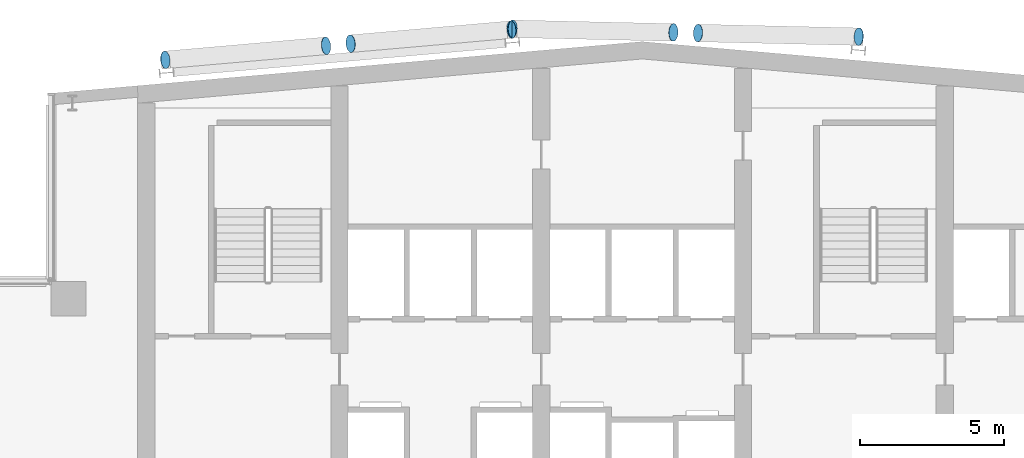
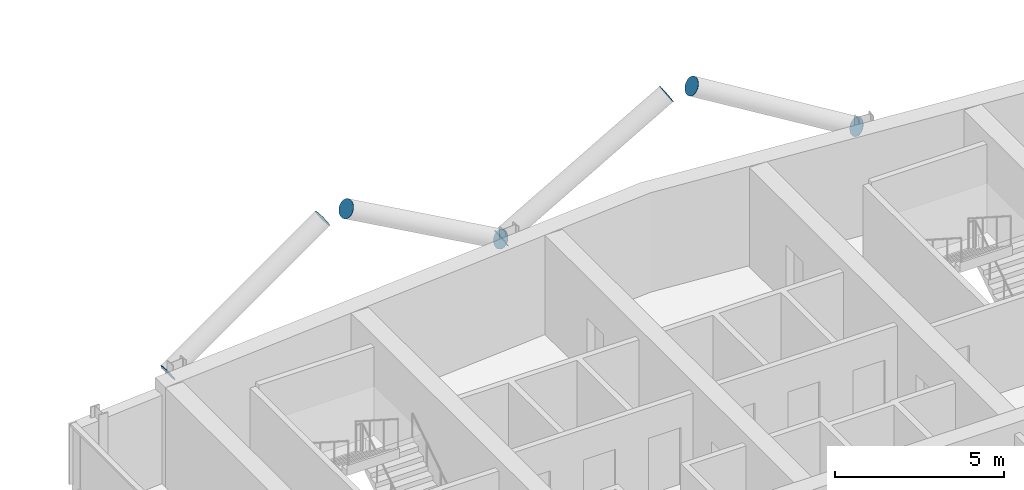
# One storey, part 23 of 27: 8 discrete accessories.
"""IFC4 building model written with IfcOpenShell, lengths in metres."""

from ifc_helpers import new_model, si_unit, direction, frame, origin, origin_2d, place, context, subcontext, project, spatial, circle, extrude, material, material_profile, profile_set, type_object, element, save


model = new_model("IFC4")

# Units and contexts
model_context = context("Model", 3, precision=1e-05, world=origin(), true_north=direction((0.0, 1.0)))
body_context = subcontext(model_context, "Body", "Model", "MODEL_VIEW")
ifc_project = project(units=[si_unit("LENGTHUNIT", "METRE"), si_unit("AREAUNIT", "SQUARE_METRE"), si_unit("VOLUMEUNIT", "CUBIC_METRE"), si_unit("PLANEANGLEUNIT", "RADIAN"), si_unit("MASSUNIT", "GRAM", prefix="KILO")], contexts=[model_context])

# Site, building, storey
site_placement = place(None, origin())
site = spatial("IfcSite", under=ifc_project, at=site_placement, CompositionType="ELEMENT")
building_placement = place(site_placement, origin())
building = spatial("IfcBuilding", under=site, at=building_placement, Name="Wharfspan Tower", CompositionType="ELEMENT")
storey_placement = place(building_placement, frame((0.0, 0.0, 210.699951)))
storey = spatial("IfcBuildingStorey", under=building, at=storey_placement, Name="L52", CompositionType="ELEMENT", Elevation=210.699951)

# Discrete accessories
ifc_material = material(Name="Steel S460NH", Category="steel")
ifc_material_profile = material_profile(ifc_material, circle(Radius=0.304932, at=origin_2d()))
ifc_profile_set = profile_set([ifc_material_profile], Name="Steel S460NH")
discrete_accessory_type = type_object("IfcDiscreteAccessoryType", Name="End plate CHS 610x25", PredefinedType="BRACKET", material=ifc_profile_set)
for number, where, z_axis, x_axis, name in (
    (1, (23.952148, 49.684326, 2.89502), (0.855186, 0.073302, 0.513112), (-0.085402, 0.996345, 1e-06), "End plate CHS 610x25"),
    (2, (29.527588, 50.172119, 6.240234), (0.855186, 0.073302, 0.513112), (-0.085402, 0.996345, 1e-06), "End plate CHS 610x25"),
    (3, (35.969238, 50.73584, 2.89502), (-0.855186, -0.073302, 0.513112), (0.085402, -0.996345, 1e-06), "End plate CHS 610x25"),
    (4, (30.393555, 50.248047, 6.240234), (-0.855186, -0.073302, 0.513112), (0.085402, -0.996345, 1e-06), "End plate CHS 610x25"),
    (5, (36.001953, 50.763184, 2.89502), (0.857236, -0.024492, 0.514341), (0.028558, 0.999591, 2e-06), "End plate CHS 610x25"),
    (6, (41.577881, 50.636475, 6.240479), (0.857236, -0.024492, 0.514341), (0.028558, 0.999591, 2e-06), "End plate CHS 610x25"),
    (7, (48.018799, 50.48999, 2.89502), (-0.857236, 0.024492, 0.514341), (-0.028558, -0.999591, 2e-06), "End plate CHS 610x25"),
    (8, (42.442871, 50.616699, 6.240479), (-0.857236, 0.024492, 0.514341), (-0.028558, -0.999591, 2e-06), "End plate CHS 610x25"),
):
    element("IfcDiscreteAccessory", number, at=place(storey_placement, frame(where, z_axis=z_axis, x_axis=x_axis)), inside=storey, type_object=discrete_accessory_type, Name=name, PredefinedType="BRACKET", context=body_context, shape_type="SweptSolid", body=[
        extrude(circle(Radius=0.304932, at=origin_2d()), origin(), (0.0, 0.0, 1.0), 0.01001),
    ])

save(model, "model.ifc")
